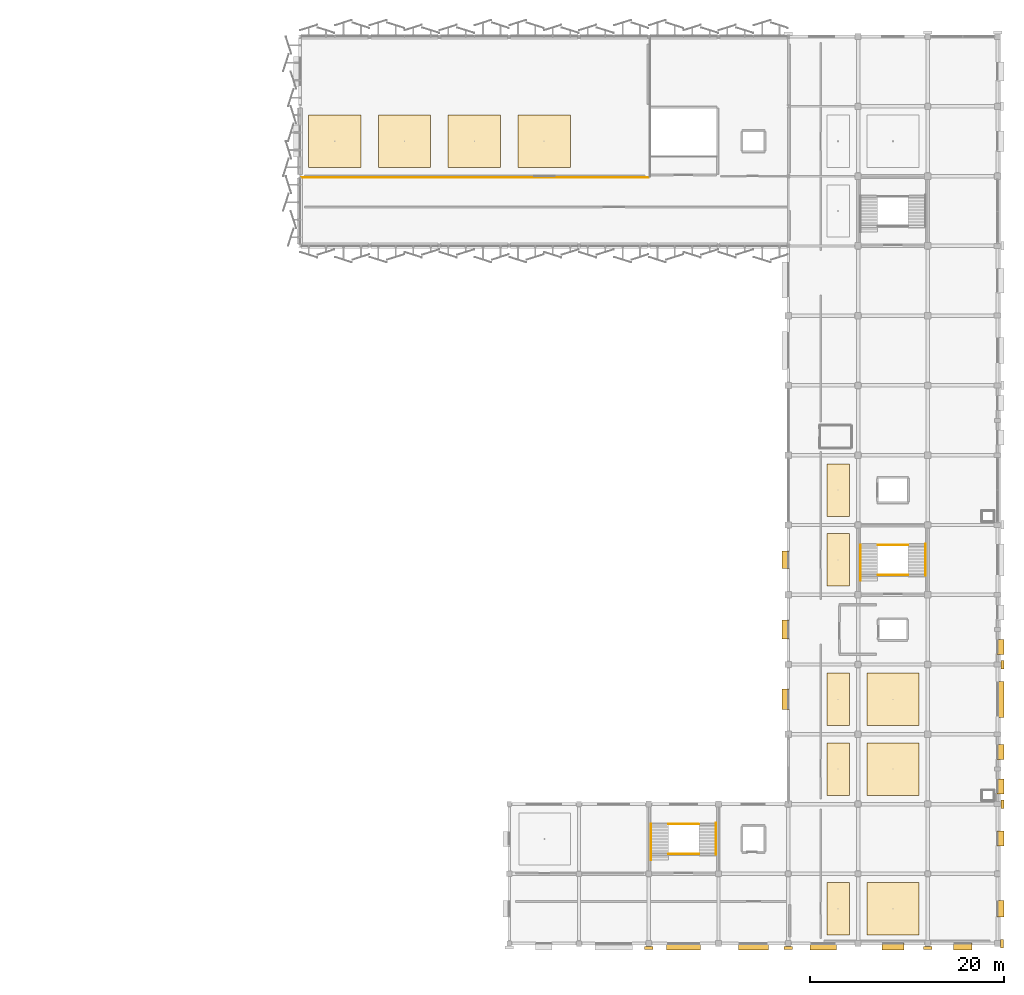
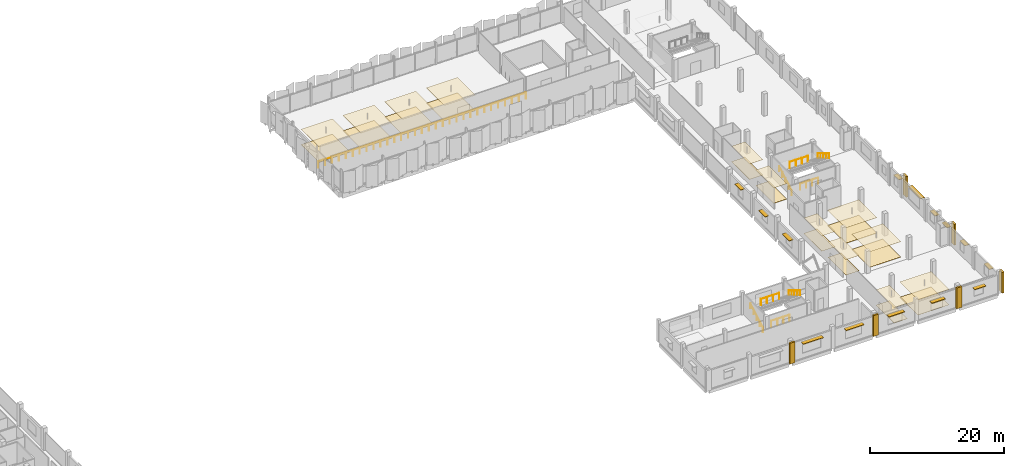
# One storey, part 76 of 77: 30 coverings, 14 shading devices, 9 railings.
"""IFC4 building model written with IfcOpenShell, lengths in metres."""

from ifc_helpers import new_model, si_unit, direction, frame, origin, origin_2d, place, context, subcontext, project, spatial, polyline, rectangle, circle, outline, extrude, material, layer, layer_set, type_object, element, save


model = new_model("IFC4")

# Units and contexts
model_context = context("Model", 3, precision=1e-05, world=origin(), true_north=direction((0.0, 1.0)))
body_context = subcontext(model_context, "Body", "Model", "MODEL_VIEW")
ifc_project = project(units=[si_unit("LENGTHUNIT", "METRE"), si_unit("AREAUNIT", "SQUARE_METRE"), si_unit("VOLUMEUNIT", "CUBIC_METRE"), si_unit("PLANEANGLEUNIT", "RADIAN"), si_unit("MASSUNIT", "GRAM", prefix="KILO")], contexts=[model_context])

# Site, building, storey
site_placement = place(None, origin())
site = spatial("IfcSite", under=ifc_project, at=site_placement, CompositionType="ELEMENT")
building_placement = place(site_placement, origin())
building = spatial("IfcBuilding", under=site, at=building_placement, Name="Kangsadwip Square Police Headquarters", CompositionType="ELEMENT")
storey_placement = place(building_placement, frame((0.0, 0.0, 17.550048828125)))
storey = spatial("IfcBuildingStorey", under=building, at=storey_placement, Name="L04", CompositionType="ELEMENT", Elevation=17.550048828125)

# Railings
ifc_material_1 = material(Name="Structural steel IS 2062 E250 (Grade 250, 250 MPa)", Category="steel")
railing_type_1 = type_object("IfcRailingType", Name="BalustradeGuard1100", PredefinedType="BALUSTRADE", material=ifc_material_1)
for number, where, name in (
    (1, (153.22998046875, 59.639892578125, 0.0), "Stair Guard ST-03 L04-90"),
    (2, (153.22998046875, 62.719970703125, 2.10595703125), "Stair Guard ST-03 L04-91"),
    (3, (131.6298828125, 30.840087890625, 0.0), "Stair Guard ST-06 L04-158"),
    (4, (131.6298828125, 33.919921875, 2.10595703125), "Stair Guard ST-06 L04-159"),
):
    element("IfcRailing", number, at=place(storey_placement, frame(where)), inside=storey, type_object=railing_type_1, Name=name, PredefinedType="BALUSTRADE", context=body_context, shape_type="SweptSolid", body=[
        extrude(circle(Radius=0.02392578125, at=origin_2d()), frame((0.0, 0.0, 1.09619140625), z_axis=(1.0, 0.0, 0.0), x_axis=(0.0, 1.0, 0.0)), (0.0, 0.0, 1.0), 3.14013671875),
        extrude(circle(Radius=0.02099609375, at=origin_2d()), origin(), (0.0, 0.0, 1.0), 1.072021484375),
        extrude(circle(Radius=0.02099609375, at=origin_2d()), frame((1.046630859375, 0.0, 0.0)), (0.0, 0.0, 1.0), 1.072021484375),
        extrude(circle(Radius=0.02099609375, at=origin_2d()), frame((2.093505859375, 0.0, 0.0)), (0.0, 0.0, 1.0), 1.072021484375),
        extrude(circle(Radius=0.02099609375, at=origin_2d()), frame((3.14013671875, 0.0, 0.0)), (0.0, 0.0, 1.0), 1.072021484375),
    ])
railing_1_placement = place(storey_placement, frame((93.75, 100.679931640625, 0.0)))
element("IfcRailing", 5, at=railing_1_placement, inside=storey, type_object=railing_type_1, Name="Atrium Gallery Balustrade GR-GAL-VOL2-S", PredefinedType="BALUSTRADE", context=body_context, shape_type="SweptSolid", body=[
    extrude(circle(Radius=0.02392578125, at=origin_2d()), frame((0.0, 0.0, 1.09619140625), z_axis=(1.0, 0.0, 0.0), x_axis=(0.0, 1.0, 0.0)), (0.0, 0.0, 1.0), 35.85009765625),
    extrude(circle(Radius=0.02099609375, at=origin_2d()), origin(), (0.0, 0.0, 1.0), 1.072021484375),
    extrude(circle(Radius=0.02099609375, at=origin_2d()), frame((1.195068359375, 0.0, 0.0)), (0.0, 0.0, 1.0), 1.072021484375),
    extrude(circle(Radius=0.02099609375, at=origin_2d()), frame((2.389892578125, 0.0, 0.0)), (0.0, 0.0, 1.0), 1.072021484375),
    extrude(circle(Radius=0.02099609375, at=origin_2d()), frame((3.5849609375, 0.0, 0.0)), (0.0, 0.0, 1.0), 1.072021484375),
    extrude(circle(Radius=0.02099609375, at=origin_2d()), frame((4.780029296875, 0.0, 0.0)), (0.0, 0.0, 1.0), 1.072021484375),
    extrude(circle(Radius=0.02099609375, at=origin_2d()), frame((5.97509765625, 0.0, 0.0)), (0.0, 0.0, 1.0), 1.072021484375),
    extrude(circle(Radius=0.02099609375, at=origin_2d()), frame((7.169921875, 0.0, 0.0)), (0.0, 0.0, 1.0), 1.072021484375),
    extrude(circle(Radius=0.02099609375, at=origin_2d()), frame((8.364990234375, 0.0, 0.0)), (0.0, 0.0, 1.0), 1.072021484375),
    extrude(circle(Radius=0.02099609375, at=origin_2d()), frame((9.56005859375, 0.0, 0.0)), (0.0, 0.0, 1.0), 1.072021484375),
    extrude(circle(Radius=0.02099609375, at=origin_2d()), frame((10.755126953125, 0.0, 0.0)), (0.0, 0.0, 1.0), 1.072021484375),
    extrude(circle(Radius=0.02099609375, at=origin_2d()), frame((11.949951171875, 0.0, 0.0)), (0.0, 0.0, 1.0), 1.072021484375),
    extrude(circle(Radius=0.02099609375, at=origin_2d()), frame((13.14501953125, 0.0, 0.0)), (0.0, 0.0, 1.0), 1.072021484375),
    extrude(circle(Radius=0.02099609375, at=origin_2d()), frame((14.340087890625, 0.0, 0.0)), (0.0, 0.0, 1.0), 1.072021484375),
    extrude(circle(Radius=0.02099609375, at=origin_2d()), frame((15.53515625, 0.0, 0.0)), (0.0, 0.0, 1.0), 1.072021484375),
    extrude(circle(Radius=0.02099609375, at=origin_2d()), frame((16.72998046875, 0.0, 0.0)), (0.0, 0.0, 1.0), 1.072021484375),
    extrude(circle(Radius=0.02099609375, at=origin_2d()), frame((17.925048828125, 0.0, 0.0)), (0.0, 0.0, 1.0), 1.072021484375),
    extrude(circle(Radius=0.02099609375, at=origin_2d()), frame((19.1201171875, 0.0, 0.0)), (0.0, 0.0, 1.0), 1.072021484375),
    extrude(circle(Radius=0.02099609375, at=origin_2d()), frame((20.31494140625, 0.0, 0.0)), (0.0, 0.0, 1.0), 1.072021484375),
    extrude(circle(Radius=0.02099609375, at=origin_2d()), frame((21.510009765625, 0.0, 0.0)), (0.0, 0.0, 1.0), 1.072021484375),
    extrude(circle(Radius=0.02099609375, at=origin_2d()), frame((22.705078125, 0.0, 0.0)), (0.0, 0.0, 1.0), 1.072021484375),
    extrude(circle(Radius=0.02099609375, at=origin_2d()), frame((23.900146484375, 0.0, 0.0)), (0.0, 0.0, 1.0), 1.072021484375),
    extrude(circle(Radius=0.02099609375, at=origin_2d()), frame((25.094970703125, 0.0, 0.0)), (0.0, 0.0, 1.0), 1.072021484375),
    extrude(circle(Radius=0.02099609375, at=origin_2d()), frame((26.2900390625, 0.0, 0.0)), (0.0, 0.0, 1.0), 1.072021484375),
    extrude(circle(Radius=0.02099609375, at=origin_2d()), frame((27.485107421875, 0.0, 0.0)), (0.0, 0.0, 1.0), 1.072021484375),
    extrude(circle(Radius=0.02099609375, at=origin_2d()), frame((28.68017578125, 0.0, 0.0)), (0.0, 0.0, 1.0), 1.072021484375),
    extrude(circle(Radius=0.02099609375, at=origin_2d()), frame((29.875, 0.0, 0.0)), (0.0, 0.0, 1.0), 1.072021484375),
    extrude(circle(Radius=0.02099609375, at=origin_2d()), frame((31.070068359375, 0.0, 0.0)), (0.0, 0.0, 1.0), 1.072021484375),
    extrude(circle(Radius=0.02099609375, at=origin_2d()), frame((32.26513671875, 0.0, 0.0)), (0.0, 0.0, 1.0), 1.072021484375),
    extrude(circle(Radius=0.02099609375, at=origin_2d()), frame((33.460205078125, 0.0, 0.0)), (0.0, 0.0, 1.0), 1.072021484375),
    extrude(circle(Radius=0.02099609375, at=origin_2d()), frame((34.655029296875, 0.0, 0.0)), (0.0, 0.0, 1.0), 1.072021484375),
    extrude(circle(Radius=0.02099609375, at=origin_2d()), frame((35.85009765625, 0.0, 0.0)), (0.0, 0.0, 1.0), 1.072021484375),
])

# Coverings
ifc_material_2 = material(Name="Seamless anti-static epoxy and polished Kota stone interior flooring", Category="masonry")
ifc_layer_1 = layer(ifc_material_2, 0.02001953125)
ifc_layer_set_1 = layer_set([ifc_layer_1], Name="Seamless anti-static epoxy and polished Kota stone interior flooring")
covering_type_1 = type_object("IfcCoveringType", Name="InteriorStoneEpoxyFloor", PredefinedType="FLOORING", material=ifc_layer_set_1)
covering_1_placement = place(storey_placement, origin())
element("IfcCovering", 6, at=covering_1_placement, inside=storey, type_object=covering_type_1, Name="Interior Floor Finish L04-136", PredefinedType="FLOORING", context=body_context, shape_type="SweptSolid", body=[
    extrude(outline(polyline([(94.5, 101.699951171875), (99.89990234375, 101.699951171875), (99.89990234375, 107.10009765625), (94.5, 107.10009765625), (94.5, 101.699951171875)])), origin(), (0.0, 0.0, 1.0), 0.02001953125),
])
covering_2_placement = place(storey_placement, origin())
element("IfcCovering", 7, at=covering_2_placement, inside=storey, type_object=covering_type_1, Name="Interior Floor Finish L04-137", PredefinedType="FLOORING", context=body_context, shape_type="SweptSolid", body=[
    extrude(outline(polyline([(101.699951171875, 101.699951171875), (107.10009765625, 101.699951171875), (107.10009765625, 107.10009765625), (101.699951171875, 107.10009765625), (101.699951171875, 101.699951171875)])), origin(), (0.0, 0.0, 1.0), 0.02001953125),
])
covering_3_placement = place(storey_placement, origin())
element("IfcCovering", 8, at=covering_3_placement, inside=storey, type_object=covering_type_1, Name="Interior Floor Finish L04-138", PredefinedType="FLOORING", context=body_context, shape_type="SweptSolid", body=[
    extrude(outline(polyline([(108.89990234375, 101.699951171875), (114.300048828125, 101.699951171875), (114.300048828125, 107.10009765625), (108.89990234375, 107.10009765625), (108.89990234375, 101.699951171875)])), origin(), (0.0, 0.0, 1.0), 0.02001953125),
])
covering_4_placement = place(storey_placement, origin())
element("IfcCovering", 9, at=covering_4_placement, inside=storey, type_object=covering_type_1, Name="Interior Floor Finish L04-139", PredefinedType="FLOORING", context=body_context, shape_type="SweptSolid", body=[
    extrude(outline(polyline([(116.10009765625, 101.699951171875), (121.5, 101.699951171875), (121.5, 107.10009765625), (116.10009765625, 107.10009765625), (116.10009765625, 101.699951171875)])), origin(), (0.0, 0.0, 1.0), 0.02001953125),
])
covering_5_placement = place(storey_placement, origin())
element("IfcCovering", 10, at=covering_5_placement, inside=storey, type_object=covering_type_1, Name="Interior Floor Finish L04-149", PredefinedType="FLOORING", context=body_context, shape_type="SweptSolid", body=[
    extrude(outline(polyline([(148.0, 36.89990234375), (150.300048828125, 36.89990234375), (150.300048828125, 42.300048828125), (148.0, 42.300048828125), (148.0, 36.89990234375)])), origin(), (0.0, 0.0, 1.0), 0.02001953125),
])
covering_6_placement = place(storey_placement, origin())
element("IfcCovering", 11, at=covering_6_placement, inside=storey, type_object=covering_type_1, Name="Interior Floor Finish L04-150", PredefinedType="FLOORING", context=body_context, shape_type="SweptSolid", body=[
    extrude(outline(polyline([(152.10009765625, 36.89990234375), (157.5, 36.89990234375), (157.5, 42.300048828125), (152.10009765625, 42.300048828125), (152.10009765625, 36.89990234375)])), origin(), (0.0, 0.0, 1.0), 0.02001953125),
])
covering_7_placement = place(storey_placement, origin())
element("IfcCovering", 12, at=covering_7_placement, inside=storey, type_object=covering_type_1, Name="Interior Floor Finish L04-151", PredefinedType="FLOORING", context=body_context, shape_type="SweptSolid", body=[
    extrude(outline(polyline([(148.0, 44.10009765625), (150.300048828125, 44.10009765625), (150.300048828125, 49.5), (148.0, 49.5), (148.0, 44.10009765625)])), origin(), (0.0, 0.0, 1.0), 0.02001953125),
])
covering_8_placement = place(storey_placement, origin())
element("IfcCovering", 13, at=covering_8_placement, inside=storey, type_object=covering_type_1, Name="Interior Floor Finish L04-152", PredefinedType="FLOORING", context=body_context, shape_type="SweptSolid", body=[
    extrude(outline(polyline([(152.10009765625, 44.10009765625), (157.5, 44.10009765625), (157.5, 49.5), (152.10009765625, 49.5), (152.10009765625, 44.10009765625)])), origin(), (0.0, 0.0, 1.0), 0.02001953125),
])
covering_9_placement = place(storey_placement, origin())
element("IfcCovering", 14, at=covering_9_placement, inside=storey, type_object=covering_type_1, Name="Interior Floor Finish L04-153", PredefinedType="FLOORING", context=body_context, shape_type="SweptSolid", body=[
    extrude(outline(polyline([(148.0, 58.5), (150.300048828125, 58.5), (150.300048828125, 63.89990234375), (148.0, 63.89990234375), (148.0, 58.5)])), origin(), (0.0, 0.0, 1.0), 0.02001953125),
])
covering_10_placement = place(storey_placement, origin())
element("IfcCovering", 15, at=covering_10_placement, inside=storey, type_object=covering_type_1, Name="Interior Floor Finish L04-154", PredefinedType="FLOORING", context=body_context, shape_type="SweptSolid", body=[
    extrude(outline(polyline([(148.0, 65.699951171875), (150.300048828125, 65.699951171875), (150.300048828125, 71.10009765625), (148.0, 71.10009765625), (148.0, 65.699951171875)])), origin(), (0.0, 0.0, 1.0), 0.02001953125),
])
covering_11_placement = place(storey_placement, origin())
element("IfcCovering", 16, at=covering_11_placement, inside=storey, type_object=covering_type_1, Name="Interior Floor Finish L04-156", PredefinedType="FLOORING", context=body_context, shape_type="SweptSolid", body=[
    extrude(outline(polyline([(148.0, 22.5), (150.300048828125, 22.5), (150.300048828125, 27.89990234375), (148.0, 27.89990234375), (148.0, 22.5)])), origin(), (0.0, 0.0, 1.0), 0.02001953125),
])
covering_12_placement = place(storey_placement, origin())
element("IfcCovering", 17, at=covering_12_placement, inside=storey, type_object=covering_type_1, Name="Interior Floor Finish L04-157", PredefinedType="FLOORING", context=body_context, shape_type="SweptSolid", body=[
    extrude(outline(polyline([(152.10009765625, 22.5), (157.5, 22.5), (157.5, 27.89990234375), (152.10009765625, 27.89990234375), (152.10009765625, 22.5)])), origin(), (0.0, 0.0, 1.0), 0.02001953125),
])

# Railings
ifc_material_3 = material(Name="Structural steel IS 2062 E250 (Grade 250, 250 MPa)", Category="steel")
railing_type_2 = type_object("IfcRailingType", Name="StairPitchHandrail900", PredefinedType="HANDRAIL", material=ifc_material_3)
railing_2_placement = place(storey_placement, frame((151.43994140625, 59.0400390625, 0.0)))
element("IfcRailing", 18, at=railing_2_placement, inside=storey, type_object=railing_type_2, Name="Stair Handrail ST-03 L04-92", PredefinedType="HANDRAIL", context=body_context, shape_type="SweptSolid", body=[
    extrude(circle(Radius=0.02392578125, at=origin_2d()), frame((0.0, 0.0, 0.8759765625), z_axis=(0.0, 0.870225440575, 0.492653714668), x_axis=(-1.0, 0.0, 0.0)), (0.0, 0.0, 1.0), 4.274658203125),
    extrude(circle(Radius=0.02099609375, at=origin_2d()), origin(), (0.0, 0.0, 1.0), 0.851806640625),
    extrude(circle(Radius=0.02099609375, at=origin_2d()), frame((0.0, 0.929931640625, 0.5263671875)), (0.0, 0.0, 1.0), 0.851806640625),
    extrude(circle(Radius=0.02099609375, at=origin_2d()), frame((0.0, 1.85986328125, 1.052978515625)), (0.0, 0.0, 1.0), 0.851806640625),
    extrude(circle(Radius=0.02099609375, at=origin_2d()), frame((0.0, 2.7900390625, 1.57958984375)), (0.0, 0.0, 1.0), 0.851806640625),
    extrude(circle(Radius=0.02099609375, at=origin_2d()), frame((0.0, 3.719970703125, 2.10595703125)), (0.0, 0.0, 1.0), 0.851806640625),
])
railing_3_placement = place(storey_placement, frame((158.159912109375, 62.860107421875, 2.10595703125)))
element("IfcRailing", 19, at=railing_3_placement, inside=storey, type_object=railing_type_2, Name="Stair Handrail ST-03 L04-93", PredefinedType="HANDRAIL", context=body_context, shape_type="SweptSolid", body=[
    extrude(circle(Radius=0.02392578125, at=origin_2d()), frame((0.0, 0.0, 0.8759765625), z_axis=(0.0, -0.860248887005, 0.509874349626), x_axis=(1.0, 0.0, 0.0)), (0.0, 0.0, 1.0), 3.81298828125),
    extrude(circle(Radius=0.02099609375, at=origin_2d()), origin(), (0.0, 0.0, 1.0), 0.851806640625),
    extrude(circle(Radius=0.02099609375, at=origin_2d()), frame((0.0, -0.820068359375, 0.486083984375)), (0.0, 0.0, 1.0), 0.851806640625),
    extrude(circle(Radius=0.02099609375, at=origin_2d()), frame((0.0, -1.64013671875, 0.97216796875)), (0.0, 0.0, 1.0), 0.851806640625),
    extrude(circle(Radius=0.02099609375, at=origin_2d()), frame((0.0, -2.4599609375, 1.4580078125)), (0.0, 0.0, 1.0), 0.851806640625),
    extrude(circle(Radius=0.02099609375, at=origin_2d()), frame((0.0, -3.280029296875, 1.944091796875)), (0.0, 0.0, 1.0), 0.851806640625),
])
railing_4_placement = place(storey_placement, frame((129.840087890625, 30.239990234375, 0.0)))
element("IfcRailing", 20, at=railing_4_placement, inside=storey, type_object=railing_type_2, Name="Stair Handrail ST-06 L04-160", PredefinedType="HANDRAIL", context=body_context, shape_type="SweptSolid", body=[
    extrude(circle(Radius=0.02392578125, at=origin_2d()), frame((0.0, 0.0, 0.8759765625), z_axis=(0.0, 0.870225440575, 0.492653714668), x_axis=(-1.0, 0.0, 0.0)), (0.0, 0.0, 1.0), 4.274658203125),
    extrude(circle(Radius=0.02099609375, at=origin_2d()), origin(), (0.0, 0.0, 1.0), 0.851806640625),
    extrude(circle(Radius=0.02099609375, at=origin_2d()), frame((0.0, 0.929931640625, 0.5263671875)), (0.0, 0.0, 1.0), 0.851806640625),
    extrude(circle(Radius=0.02099609375, at=origin_2d()), frame((0.0, 1.85986328125, 1.052978515625)), (0.0, 0.0, 1.0), 0.851806640625),
    extrude(circle(Radius=0.02099609375, at=origin_2d()), frame((0.0, 2.7900390625, 1.57958984375)), (0.0, 0.0, 1.0), 0.851806640625),
    extrude(circle(Radius=0.02099609375, at=origin_2d()), frame((0.0, 3.719970703125, 2.10595703125)), (0.0, 0.0, 1.0), 0.851806640625),
])
railing_5_placement = place(storey_placement, frame((136.56005859375, 34.06005859375, 2.10595703125)))
element("IfcRailing", 21, at=railing_5_placement, inside=storey, type_object=railing_type_2, Name="Stair Handrail ST-06 L04-161", PredefinedType="HANDRAIL", context=body_context, shape_type="SweptSolid", body=[
    extrude(circle(Radius=0.02392578125, at=origin_2d()), frame((0.0, 0.0, 0.8759765625), z_axis=(0.0, -0.860248887005, 0.509874349626), x_axis=(1.0, 0.0, 0.0)), (0.0, 0.0, 1.0), 3.81298828125),
    extrude(circle(Radius=0.02099609375, at=origin_2d()), origin(), (0.0, 0.0, 1.0), 0.851806640625),
    extrude(circle(Radius=0.02099609375, at=origin_2d()), frame((0.0, -0.820068359375, 0.486083984375)), (0.0, 0.0, 1.0), 0.851806640625),
    extrude(circle(Radius=0.02099609375, at=origin_2d()), frame((0.0, -1.64013671875, 0.97216796875)), (0.0, 0.0, 1.0), 0.851806640625),
    extrude(circle(Radius=0.02099609375, at=origin_2d()), frame((0.0, -2.4599609375, 1.4580078125)), (0.0, 0.0, 1.0), 0.851806640625),
    extrude(circle(Radius=0.02099609375, at=origin_2d()), frame((0.0, -3.280029296875, 1.944091796875)), (0.0, 0.0, 1.0), 0.851806640625),
])

# Coverings
ifc_material_4 = material(Name="Perforated mineral-fibre and acoustic baffle suspended ceiling", Category="wood")
ifc_layer_2 = layer(ifc_material_4, 0.02490234375)
ifc_layer_set_2 = layer_set([ifc_layer_2], Name="Perforated mineral-fibre and acoustic baffle suspended ceiling")
covering_type_2 = type_object("IfcCoveringType", Name="SuspendedAcousticCeiling", PredefinedType="CEILING", material=ifc_layer_set_2)
covering_13_placement = place(storey_placement, frame((0.0, 0.0, 2.800048828125)))
element("IfcCovering", 22, at=covering_13_placement, inside=storey, type_object=covering_type_2, Name="Suspended Acoustic Ceiling L04-136", PredefinedType="CEILING", context=body_context, shape_type="SweptSolid", body=[
    extrude(outline(polyline([(94.5, 101.699951171875), (99.89990234375, 101.699951171875), (99.89990234375, 107.10009765625), (94.5, 107.10009765625), (94.5, 101.699951171875)])), origin(), (0.0, 0.0, 1.0), 0.02490234375),
])
covering_14_placement = place(storey_placement, frame((0.0, 0.0, 2.800048828125)))
element("IfcCovering", 23, at=covering_14_placement, inside=storey, type_object=covering_type_2, Name="Suspended Acoustic Ceiling L04-137", PredefinedType="CEILING", context=body_context, shape_type="SweptSolid", body=[
    extrude(outline(polyline([(101.699951171875, 101.699951171875), (107.10009765625, 101.699951171875), (107.10009765625, 107.10009765625), (101.699951171875, 107.10009765625), (101.699951171875, 101.699951171875)])), origin(), (0.0, 0.0, 1.0), 0.02490234375),
])
covering_15_placement = place(storey_placement, frame((0.0, 0.0, 2.800048828125)))
element("IfcCovering", 24, at=covering_15_placement, inside=storey, type_object=covering_type_2, Name="Suspended Acoustic Ceiling L04-138", PredefinedType="CEILING", context=body_context, shape_type="SweptSolid", body=[
    extrude(outline(polyline([(108.89990234375, 101.699951171875), (114.300048828125, 101.699951171875), (114.300048828125, 107.10009765625), (108.89990234375, 107.10009765625), (108.89990234375, 101.699951171875)])), origin(), (0.0, 0.0, 1.0), 0.02490234375),
])
covering_16_placement = place(storey_placement, frame((0.0, 0.0, 2.800048828125)))
element("IfcCovering", 25, at=covering_16_placement, inside=storey, type_object=covering_type_2, Name="Suspended Acoustic Ceiling L04-139", PredefinedType="CEILING", context=body_context, shape_type="SweptSolid", body=[
    extrude(outline(polyline([(116.10009765625, 101.699951171875), (121.5, 101.699951171875), (121.5, 107.10009765625), (116.10009765625, 107.10009765625), (116.10009765625, 101.699951171875)])), origin(), (0.0, 0.0, 1.0), 0.02490234375),
])
covering_17_placement = place(storey_placement, frame((0.0, 0.0, 2.800048828125)))
element("IfcCovering", 26, at=covering_17_placement, inside=storey, type_object=covering_type_2, Name="Suspended Acoustic Ceiling L04-149", PredefinedType="CEILING", context=body_context, shape_type="SweptSolid", body=[
    extrude(outline(polyline([(148.0, 36.89990234375), (150.300048828125, 36.89990234375), (150.300048828125, 42.300048828125), (148.0, 42.300048828125), (148.0, 36.89990234375)])), origin(), (0.0, 0.0, 1.0), 0.02490234375),
])
covering_18_placement = place(storey_placement, frame((0.0, 0.0, 2.800048828125)))
element("IfcCovering", 27, at=covering_18_placement, inside=storey, type_object=covering_type_2, Name="Suspended Acoustic Ceiling L04-150", PredefinedType="CEILING", context=body_context, shape_type="SweptSolid", body=[
    extrude(outline(polyline([(152.10009765625, 36.89990234375), (157.5, 36.89990234375), (157.5, 42.300048828125), (152.10009765625, 42.300048828125), (152.10009765625, 36.89990234375)])), origin(), (0.0, 0.0, 1.0), 0.02490234375),
])
covering_19_placement = place(storey_placement, frame((0.0, 0.0, 2.800048828125)))
element("IfcCovering", 28, at=covering_19_placement, inside=storey, type_object=covering_type_2, Name="Suspended Acoustic Ceiling L04-151", PredefinedType="CEILING", context=body_context, shape_type="SweptSolid", body=[
    extrude(outline(polyline([(148.0, 44.10009765625), (150.300048828125, 44.10009765625), (150.300048828125, 49.5), (148.0, 49.5), (148.0, 44.10009765625)])), origin(), (0.0, 0.0, 1.0), 0.02490234375),
])
covering_20_placement = place(storey_placement, frame((0.0, 0.0, 2.800048828125)))
element("IfcCovering", 29, at=covering_20_placement, inside=storey, type_object=covering_type_2, Name="Suspended Acoustic Ceiling L04-152", PredefinedType="CEILING", context=body_context, shape_type="SweptSolid", body=[
    extrude(outline(polyline([(152.10009765625, 44.10009765625), (157.5, 44.10009765625), (157.5, 49.5), (152.10009765625, 49.5), (152.10009765625, 44.10009765625)])), origin(), (0.0, 0.0, 1.0), 0.02490234375),
])
covering_21_placement = place(storey_placement, frame((0.0, 0.0, 2.800048828125)))
element("IfcCovering", 30, at=covering_21_placement, inside=storey, type_object=covering_type_2, Name="Suspended Acoustic Ceiling L04-153", PredefinedType="CEILING", context=body_context, shape_type="SweptSolid", body=[
    extrude(outline(polyline([(148.0, 58.5), (150.300048828125, 58.5), (150.300048828125, 63.89990234375), (148.0, 63.89990234375), (148.0, 58.5)])), origin(), (0.0, 0.0, 1.0), 0.02490234375),
])
covering_22_placement = place(storey_placement, frame((0.0, 0.0, 2.800048828125)))
element("IfcCovering", 31, at=covering_22_placement, inside=storey, type_object=covering_type_2, Name="Suspended Acoustic Ceiling L04-154", PredefinedType="CEILING", context=body_context, shape_type="SweptSolid", body=[
    extrude(outline(polyline([(148.0, 65.699951171875), (150.300048828125, 65.699951171875), (150.300048828125, 71.10009765625), (148.0, 71.10009765625), (148.0, 65.699951171875)])), origin(), (0.0, 0.0, 1.0), 0.02490234375),
])
covering_23_placement = place(storey_placement, frame((0.0, 0.0, 2.800048828125)))
element("IfcCovering", 32, at=covering_23_placement, inside=storey, type_object=covering_type_2, Name="Suspended Acoustic Ceiling L04-156", PredefinedType="CEILING", context=body_context, shape_type="SweptSolid", body=[
    extrude(outline(polyline([(148.0, 22.5), (150.300048828125, 22.5), (150.300048828125, 27.89990234375), (148.0, 27.89990234375), (148.0, 22.5)])), origin(), (0.0, 0.0, 1.0), 0.02490234375),
])
covering_24_placement = place(storey_placement, frame((0.0, 0.0, 2.800048828125)))
element("IfcCovering", 33, at=covering_24_placement, inside=storey, type_object=covering_type_2, Name="Suspended Acoustic Ceiling L04-157", PredefinedType="CEILING", context=body_context, shape_type="SweptSolid", body=[
    extrude(outline(polyline([(152.10009765625, 22.5), (157.5, 22.5), (157.5, 27.89990234375), (152.10009765625, 27.89990234375), (152.10009765625, 22.5)])), origin(), (0.0, 0.0, 1.0), 0.02490234375),
])
ifc_material_5 = material(Name="Glazed architectural terracotta masonry rainscreen", Category="masonry")
ifc_layer_3 = layer(ifc_material_5, 0.034912109375)
ifc_layer_set_3 = layer_set([ifc_layer_3], Name="Glazed architectural terracotta masonry rainscreen")
covering_type_3 = type_object("IfcCoveringType", Name="TerracottaPierCladding", PredefinedType="CLADDING", material=ifc_layer_set_3)
covering_25_placement = place(storey_placement, origin())
element("IfcCovering", 34, at=covering_25_placement, inside=storey, type_object=covering_type_3, Name="Terracotta Pier Cladding L04-110", PredefinedType="CLADDING", context=body_context, shape_type="SweptSolid", body=[
    extrude(outline(polyline([(165.8798828125, 21.159912109375), (166.199951171875, 21.159912109375), (166.199951171875, 22.0400390625), (165.8798828125, 22.0400390625), (165.8798828125, 21.159912109375)])), origin(), (0.0, 0.0, 1.0), 3.800048828125),
])
covering_26_placement = place(storey_placement, origin())
element("IfcCovering", 35, at=covering_26_placement, inside=storey, type_object=covering_type_3, Name="Terracotta Pier Cladding L04-111", PredefinedType="CLADDING", context=body_context, shape_type="SweptSolid", body=[
    extrude(outline(polyline([(165.929931640625, 35.56005859375), (166.25, 35.56005859375), (166.25, 36.43994140625), (165.929931640625, 36.43994140625), (165.929931640625, 35.56005859375)])), origin(), (0.0, 0.0, 1.0), 3.800048828125),
])
covering_27_placement = place(storey_placement, origin())
element("IfcCovering", 36, at=covering_27_placement, inside=storey, type_object=covering_type_3, Name="Terracotta Pier Cladding L04-112", PredefinedType="CLADDING", context=body_context, shape_type="SweptSolid", body=[
    extrude(outline(polyline([(165.929931640625, 49.9599609375), (166.25, 49.9599609375), (166.25, 50.840087890625), (165.929931640625, 50.840087890625), (165.929931640625, 49.9599609375)])), origin(), (0.0, 0.0, 1.0), 3.800048828125),
])
covering_28_placement = place(storey_placement, origin())
element("IfcCovering", 37, at=covering_28_placement, inside=storey, type_object=covering_type_3, Name="Terracotta Pier Cladding L04-121", PredefinedType="CLADDING", context=body_context, shape_type="SweptSolid", body=[
    extrude(outline(polyline([(129.159912109375, 21.0), (130.0400390625, 21.0), (130.0400390625, 21.320068359375), (129.159912109375, 21.320068359375), (129.159912109375, 21.0)])), origin(), (0.0, 0.0, 1.0), 3.800048828125),
])
covering_29_placement = place(storey_placement, origin())
element("IfcCovering", 38, at=covering_29_placement, inside=storey, type_object=covering_type_3, Name="Terracotta Pier Cladding L04-122", PredefinedType="CLADDING", context=body_context, shape_type="SweptSolid", body=[
    extrude(outline(polyline([(143.56005859375, 21.0), (144.43994140625, 21.0), (144.43994140625, 21.320068359375), (143.56005859375, 21.320068359375), (143.56005859375, 21.0)])), origin(), (0.0, 0.0, 1.0), 3.800048828125),
])
covering_30_placement = place(storey_placement, origin())
element("IfcCovering", 39, at=covering_30_placement, inside=storey, type_object=covering_type_3, Name="Terracotta Pier Cladding L04-123", PredefinedType="CLADDING", context=body_context, shape_type="SweptSolid", body=[
    extrude(outline(polyline([(157.9599609375, 21.0), (158.840087890625, 21.0), (158.840087890625, 21.320068359375), (157.9599609375, 21.320068359375), (157.9599609375, 21.0)])), origin(), (0.0, 0.0, 1.0), 3.800048828125),
])

# Shading devices
ifc_material_6 = material(Name="Architectural terracotta and anodised aluminium AW-6061-T6", Category="aluminium")
shading_device_type = type_object("IfcShadingDeviceType", Name="TerracottaChhajjaAwning", PredefinedType="AWNING", material=ifc_material_6)
shading_device_1_placement = place(storey_placement, frame((133.199951171875, 21.300048828125, 2.81494140625), z_axis=(0.0, 0.0, 1.0), x_axis=(1.0, 0.0, 0.0)))
element("IfcShadingDevice", 40, at=shading_device_1_placement, inside=storey, type_object=shading_device_type, Name="Terracotta Chhajja Hood CHJ-L04-0211", PredefinedType="AWNING", context=body_context, shape_type="SweptSolid", body=[
    extrude(rectangle(XDim=3.5, YDim=0.719970703125, at=origin_2d()), origin(), (0.0, 0.0, 1.0), 0.090087890625),
])
shading_device_2_placement = place(storey_placement, frame((140.39990234375, 21.300048828125, 2.71484375), z_axis=(0.0, 0.0, 1.0), x_axis=(1.0, 0.0, 0.0)))
element("IfcShadingDevice", 41, at=shading_device_2_placement, inside=storey, type_object=shading_device_type, Name="Terracotta Chhajja Hood CHJ-L04-0212", PredefinedType="AWNING", context=body_context, shape_type="SweptSolid", body=[
    extrude(rectangle(XDim=3.10009765625, YDim=0.719970703125, at=origin_2d()), origin(), (0.0, 0.0, 1.0), 0.090087890625),
])
shading_device_3_placement = place(storey_placement, frame((147.60009765625, 21.300048828125, 2.61474609375), z_axis=(0.0, 0.0, 1.0), x_axis=(1.0, 0.0, 0.0)))
element("IfcShadingDevice", 42, at=shading_device_3_placement, inside=storey, type_object=shading_device_type, Name="Terracotta Chhajja Hood CHJ-L04-0213", PredefinedType="AWNING", context=body_context, shape_type="SweptSolid", body=[
    extrude(rectangle(XDim=2.699951171875, YDim=0.719970703125, at=origin_2d()), origin(), (0.0, 0.0, 1.0), 0.090087890625),
])
shading_device_4_placement = place(storey_placement, frame((154.800048828125, 21.300048828125, 2.51513671875), z_axis=(0.0, 0.0, 1.0), x_axis=(1.0, 0.0, 0.0)))
element("IfcShadingDevice", 43, at=shading_device_4_placement, inside=storey, type_object=shading_device_type, Name="Terracotta Chhajja Hood CHJ-L04-0214", PredefinedType="AWNING", context=body_context, shape_type="SweptSolid", body=[
    extrude(rectangle(XDim=2.300048828125, YDim=0.719970703125, at=origin_2d()), origin(), (0.0, 0.0, 1.0), 0.090087890625),
])
shading_device_5_placement = place(storey_placement, frame((162.0, 21.300048828125, 2.4150390625), z_axis=(0.0, 0.0, 1.0), x_axis=(1.0, 0.0, 0.0)))
element("IfcShadingDevice", 44, at=shading_device_5_placement, inside=storey, type_object=shading_device_type, Name="Terracotta Chhajja Hood CHJ-L04-0215", PredefinedType="AWNING", context=body_context, shape_type="SweptSolid", body=[
    extrude(rectangle(XDim=1.949951171875, YDim=0.719970703125, at=origin_2d()), origin(), (0.0, 0.0, 1.0), 0.090087890625),
])
shading_device_6_placement = place(storey_placement, frame((143.699951171875, 46.800048828125, 2.46484375), z_axis=(0.0, 0.0, 1.0), x_axis=(0.0, 1.0, 0.0)))
element("IfcShadingDevice", 45, at=shading_device_6_placement, inside=storey, type_object=shading_device_type, Name="Terracotta Chhajja Hood CHJ-L04-0237", PredefinedType="AWNING", context=body_context, shape_type="SweptSolid", body=[
    extrude(rectangle(XDim=2.10009765625, YDim=0.719970703125, at=origin_2d()), origin(), (0.0, 0.0, 1.0), 0.090087890625),
])
shading_device_7_placement = place(storey_placement, frame((143.699951171875, 54.0, 2.4150390625), z_axis=(0.0, 0.0, 1.0), x_axis=(0.0, 1.0, 0.0)))
element("IfcShadingDevice", 46, at=shading_device_7_placement, inside=storey, type_object=shading_device_type, Name="Terracotta Chhajja Hood CHJ-L04-0238", PredefinedType="AWNING", context=body_context, shape_type="SweptSolid", body=[
    extrude(rectangle(XDim=1.949951171875, YDim=0.719970703125, at=origin_2d()), origin(), (0.0, 0.0, 1.0), 0.090087890625),
])
shading_device_8_placement = place(storey_placement, frame((143.699951171875, 61.199951171875, 2.9150390625), z_axis=(0.0, 0.0, 1.0), x_axis=(0.0, 1.0, 0.0)))
element("IfcShadingDevice", 47, at=shading_device_8_placement, inside=storey, type_object=shading_device_type, Name="Terracotta Chhajja Hood CHJ-L04-0239", PredefinedType="AWNING", context=body_context, shape_type="SweptSolid", body=[
    extrude(rectangle(XDim=1.800048828125, YDim=0.719970703125, at=origin_2d()), origin(), (0.0, 0.0, 1.0), 0.090087890625),
])
shading_device_9_placement = place(storey_placement, frame((165.89990234375, 25.199951171875, 2.46484375), z_axis=(0.0, 0.0, 1.0), x_axis=(0.0, 1.0, 0.0)))
element("IfcShadingDevice", 48, at=shading_device_9_placement, inside=storey, type_object=shading_device_type, Name="Terracotta Chhajja Hood CHJ-L04-0242", PredefinedType="AWNING", context=body_context, shape_type="SweptSolid", body=[
    extrude(rectangle(XDim=1.699951171875, YDim=0.719970703125, at=origin_2d()), origin(), (0.0, 0.0, 1.0), 0.090087890625),
])
for number, where, z_axis, x_axis, name in (
    (49, (165.89990234375, 32.425048828125, 2.36474609375), (0.0, 0.0, 1.0), (0.0, 1.0, 0.0), "Terracotta Chhajja Hood CHJ-L04-0243"),
    (50, (165.89990234375, 37.824951171875, 2.36474609375), (0.0, 0.0, 1.0), (0.0, 1.0, 0.0), "Terracotta Chhajja Hood CHJ-L04-0244"),
    (51, (165.89990234375, 41.375, 2.36474609375), (0.0, 0.0, 1.0), (0.0, 1.0, 0.0), "Terracotta Chhajja Hood CHJ-L04-0245"),
):
    element("IfcShadingDevice", number, at=place(storey_placement, frame(where, z_axis=z_axis, x_axis=x_axis)), inside=storey, type_object=shading_device_type, Name=name, PredefinedType="AWNING", context=body_context, shape_type="SweptSolid", body=[
        extrude(rectangle(XDim=1.550048828125, YDim=0.719970703125, at=origin_2d()), origin(), (0.0, 0.0, 1.0), 0.090087890625),
    ])
shading_device_10_placement = place(storey_placement, frame((165.89990234375, 46.800048828125, 2.86474609375), z_axis=(0.0, 0.0, 1.0), x_axis=(0.0, 1.0, 0.0)))
element("IfcShadingDevice", 52, at=shading_device_10_placement, inside=storey, type_object=shading_device_type, Name="Terracotta Chhajja Hood CHJ-L04-0246", PredefinedType="AWNING", context=body_context, shape_type="SweptSolid", body=[
    extrude(rectangle(XDim=3.699951171875, YDim=0.719970703125, at=origin_2d()), origin(), (0.0, 0.0, 1.0), 0.090087890625),
])
shading_device_11_placement = place(storey_placement, frame((165.89990234375, 52.22509765625, 2.36474609375), z_axis=(0.0, 0.0, 1.0), x_axis=(0.0, 1.0, 0.0)))
element("IfcShadingDevice", 53, at=shading_device_11_placement, inside=storey, type_object=shading_device_type, Name="Terracotta Chhajja Hood CHJ-L04-0247", PredefinedType="AWNING", context=body_context, shape_type="SweptSolid", body=[
    extrude(rectangle(XDim=1.550048828125, YDim=0.719970703125, at=origin_2d()), origin(), (0.0, 0.0, 1.0), 0.090087890625),
])

save(model, "model.ifc")
